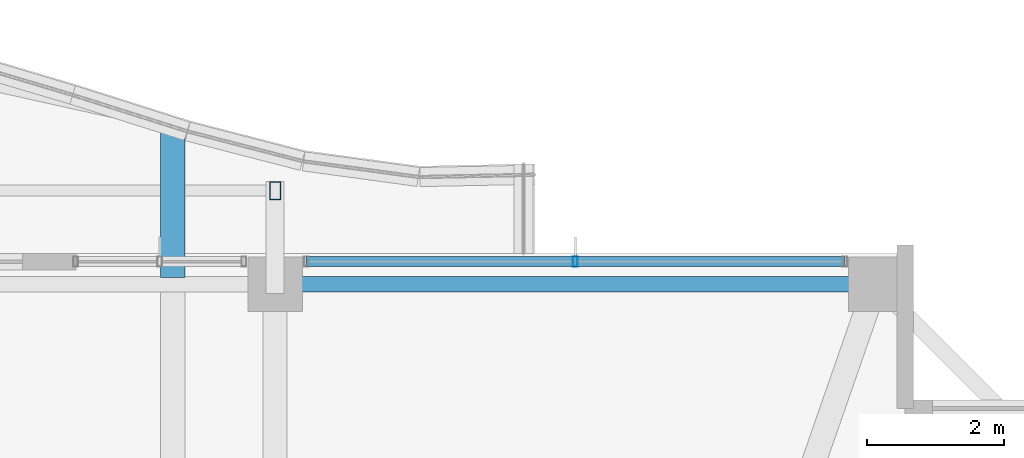
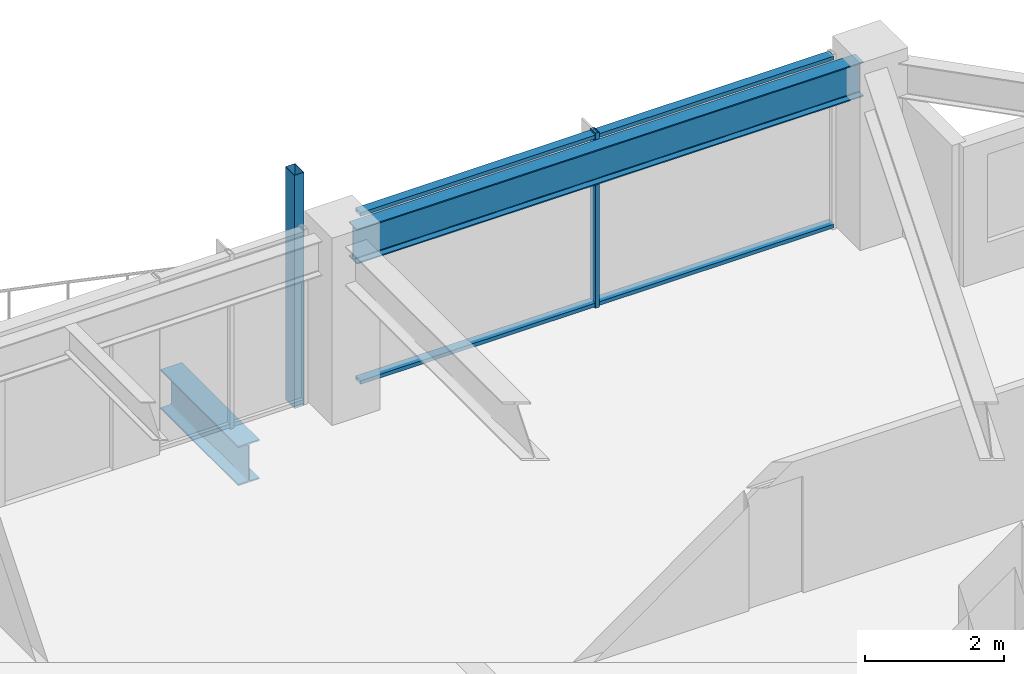
# One storey, part 22 of 38: 4 members, 2 beams, 1 element without a shape of its own.
"""IFC4 building model written with IfcOpenShell, lengths in metres."""

from ifc_helpers import new_model, si_unit, direction, frame, origin, origin_2d, place, context, subcontext, project, spatial, hollow_rectangle, i_section, extrude, material, material_profile, profile_set, type_object, element, aggregate, save


model = new_model("IFC4")

# Units and contexts
model_context = context("Model", 3, precision=1e-05, world=origin(), true_north=direction((0.0, 1.0)))
body_context = subcontext(model_context, "Body", "Model", "MODEL_VIEW")
ifc_project = project(units=[si_unit("LENGTHUNIT", "METRE"), si_unit("AREAUNIT", "SQUARE_METRE"), si_unit("VOLUMEUNIT", "CUBIC_METRE"), si_unit("PLANEANGLEUNIT", "RADIAN"), si_unit("MASSUNIT", "GRAM", prefix="KILO")], contexts=[model_context])

# Site, building, storey
site_placement = place(None, origin())
site = spatial("IfcSite", under=ifc_project, at=site_placement, CompositionType="ELEMENT")
building_placement = place(site_placement, origin())
building = spatial("IfcBuilding", under=site, at=building_placement, Name="Kolvaren Belvedere", CompositionType="ELEMENT")
storey_placement = place(building_placement, frame((0.0, 0.0, 206.39990234375)))
storey = spatial("IfcBuildingStorey", under=building, at=storey_placement, Name="L60", CompositionType="ELEMENT", Elevation=206.39990234375)

# Beams
ifc_material_1 = material(Name="Structural steel ASTM A992 Grade 50", Category="steel")
ifc_material_profile_1 = material_profile(ifc_material_1, i_section(OverallWidth=0.35498046875, OverallDepth=0.696044921875, WebThickness=0.015380859375, FlangeThickness=0.02490234375, FilletRadius=0.02197265625, at=origin_2d()), Name="W27X146")
ifc_profile_set_1 = profile_set([ifc_material_profile_1], Name="Structural steel ASTM A992 Grade 50")
beam_type_1 = type_object("IfcBeamType", Name="BM-CANT-BAL", PredefinedType="BEAM", material=ifc_profile_set_1)
beam_1_placement = place(storey_placement, frame((3.10009765625, 20.044921875, -0.56787109375), z_axis=(0.0, 1.0, 0.0), x_axis=(-1.0, 0.0, 0.0)))
element("IfcBeam", 1, at=beam_1_placement, inside=storey, type_object=beam_type_1, Name="L60 Planted Balcony Cantilever BAL-N-2", PredefinedType="BEAM", context=body_context, shape_type="SweptSolid", body=[
    extrude(i_section(OverallWidth=0.35498046875, OverallDepth=0.696044921875, WebThickness=0.015380859375, FlangeThickness=0.02490234375, FilletRadius=0.02197265625, at=origin_2d()), origin(), (0.0, 0.0, 1.0), 2.239990234375),
])
ifc_material_2 = material(Name="Structural steel ASTM A992 Grade 50", Category="steel")
ifc_material_profile_2 = material_profile(ifc_material_2, i_section(OverallWidth=0.22900390625, OverallDepth=0.612060546875, WebThickness=0.011962890625, FlangeThickness=0.01953125, FilletRadius=0.01806640625, at=origin_2d()), Name="W24X84")
ifc_profile_set_2 = profile_set([ifc_material_profile_2], Name="Structural steel ASTM A992 Grade 50")
beam_type_2 = type_object("IfcBeamType", Name="BM-SPAN-W24X84", PredefinedType="SPANDREL", material=ifc_profile_set_2)
beam_2_placement = place(storey_placement, frame((13.219970703125, 19.949951171875, 2.774169921875), z_axis=(-1.0, 0.0, 0.0), x_axis=(0.0, -1.0, 0.0)))
element("IfcBeam", 2, at=beam_2_placement, inside=storey, type_object=beam_type_2, Name="L60 Perimeter Spandrel N4-N3", PredefinedType="SPANDREL", context=body_context, shape_type="SweptSolid", body=[
    extrude(i_section(OverallWidth=0.22900390625, OverallDepth=0.612060546875, WebThickness=0.011962890625, FlangeThickness=0.01953125, FilletRadius=0.01806640625, at=origin_2d()), origin(), (0.0, 0.0, 1.0), 8.43994140625),
])

# Curtain wall, members
ifc_material_3 = material(Name="Anodised pale-metal aluminium AA 6063-T6", Category="aluminium")
curtain_wall_type = type_object("IfcCurtainWallType", Name="CW-Z5-HIGH", PredefinedType="NOTDEFINED", material=ifc_material_3)
curtain_wall_placement = place(storey_placement, origin())
curtain_wall = element("IfcCurtainWall", 3, at=curtain_wall_placement, inside=storey, type_object=curtain_wall_type, Name="L60 Unitised Curtain Wall FCW-L60-N2-B2", PredefinedType="NOTDEFINED")
ifc_material_4 = material(Name="Anodised pale-metal aluminium AA 6063-T6", Category="aluminium")
ifc_material_profile_3 = material_profile(ifc_material_4, hollow_rectangle(XDim=0.070068359375, YDim=0.14990234375, WallThickness=0.004150390625, at=origin_2d()), Name="ALU-MUL-150X70")
ifc_profile_set_3 = profile_set([ifc_material_profile_3], Name="Anodised pale-metal aluminium AA 6063-T6")
member_type_1 = type_object("IfcMemberType", Name="CW-MUL-150", PredefinedType="MULLION", material=ifc_profile_set_3)
member_1_placement = place(storey_placement, frame((9.0, 20.280029296875, 0.0), z_axis=(0.0, 0.0, 1.0), x_axis=(1.0, 0.0, 0.0)))
member_1 = element("IfcMember", 4, at=member_1_placement, type_object=member_type_1, Name="FCW-L60-N2-B2 Unitised Mullion 2", PredefinedType="MULLION", context=body_context, shape_type="SweptSolid", body=[
    extrude(hollow_rectangle(XDim=0.070068359375, YDim=0.14990234375, WallThickness=0.004150390625, at=origin_2d()), origin(), (0.0, 0.0, 1.0), 3.080078125),
])
ifc_material_5 = material(Name="Anodised pale-metal aluminium AA 6063-T6", Category="aluminium")
ifc_material_profile_4 = material_profile(ifc_material_5, hollow_rectangle(XDim=0.06494140625, YDim=0.14990234375, WallThickness=0.00390625, at=origin_2d()), Name="ALU-TRN-150X65")
ifc_profile_set_4 = profile_set([ifc_material_profile_4], Name="Anodised pale-metal aluminium AA 6063-T6")
member_type_2 = type_object("IfcMemberType", Name="CW-TRN-150", PredefinedType="USERDEFINED", material=ifc_profile_set_4)
member_2_placement = place(storey_placement, frame((5.054931640625, 20.280029296875, 0.06005859375), z_axis=(1.0, 0.0, 0.0), x_axis=(0.0, 0.0, 1.0)))
member_2 = element("IfcMember", 5, at=member_2_placement, type_object=member_type_2, Name="FCW-L60-N2-B2 Sill Transom", ObjectType="TRANSOM", PredefinedType="USERDEFINED", context=body_context, shape_type="SweptSolid", body=[
    extrude(hollow_rectangle(XDim=0.06494140625, YDim=0.14990234375, WallThickness=0.00390625, at=origin_2d()), origin(), (0.0, 0.0, 1.0), 7.89013671875),
])
member_3_placement = place(storey_placement, frame((5.054931640625, 20.280029296875, 3.02001953125), z_axis=(1.0, 0.0, 0.0), x_axis=(0.0, 0.0, 1.0)))
member_3 = element("IfcMember", 6, at=member_3_placement, type_object=member_type_2, Name="FCW-L60-N2-B2 Head Transom", ObjectType="TRANSOM", PredefinedType="USERDEFINED", context=body_context, shape_type="SweptSolid", body=[
    extrude(hollow_rectangle(XDim=0.06494140625, YDim=0.14990234375, WallThickness=0.00390625, at=origin_2d()), origin(), (0.0, 0.0, 1.0), 7.89013671875),
])
aggregate(curtain_wall, [member_1, member_2, member_3])

# Member
ifc_material_6 = material(Name="Anodised pale-metal aluminium AA 6063-T6", Category="aluminium")
ifc_material_profile_5 = material_profile(ifc_material_6, hollow_rectangle(XDim=0.159912109375, YDim=0.260009765625, WallThickness=0.006591796875, at=origin_2d()), Name="ALU-PF-260X160")
ifc_profile_set_5 = profile_set([ifc_material_profile_5], Name="Anodised pale-metal aluminium AA 6063-T6")
member_type_3 = type_object("IfcMemberType", Name="PF-FRAME-260", PredefinedType="USERDEFINED", material=ifc_profile_set_5)
member_4_placement = place(storey_placement, frame((4.60009765625, 21.320068359375, -0.809814453125), z_axis=(0.0, 0.0, 1.0), x_axis=(1.0, 0.0, 0.0)))
element("IfcMember", 7, at=member_4_placement, inside=storey, type_object=member_type_3, Name="L60 Outboard Picture-Frame Vertical N2", ObjectType="PICTURE FRAME FIN", PredefinedType="USERDEFINED", context=body_context, shape_type="SweptSolid", body=[
    extrude(hollow_rectangle(XDim=0.159912109375, YDim=0.260009765625, WallThickness=0.006591796875, at=origin_2d()), origin(), (0.0, 0.0, 1.0), 4.10986328125),
])

save(model, "model.ifc")
